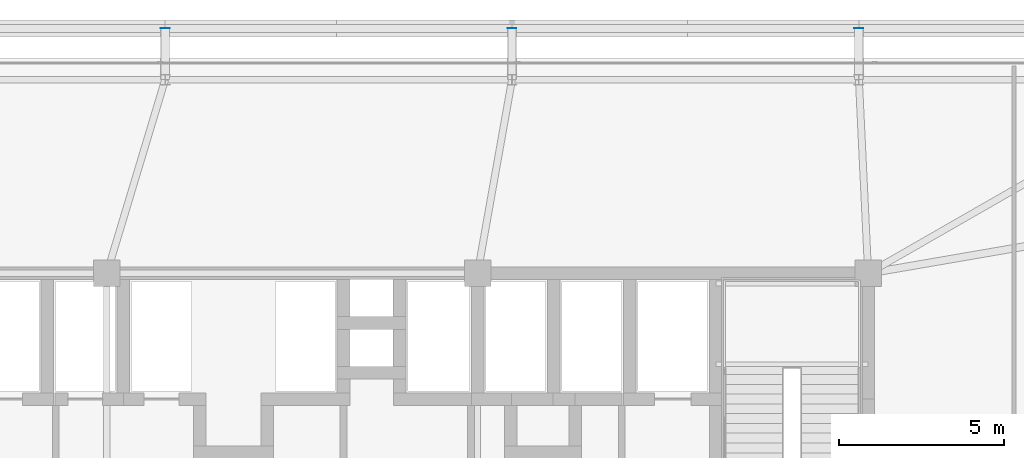
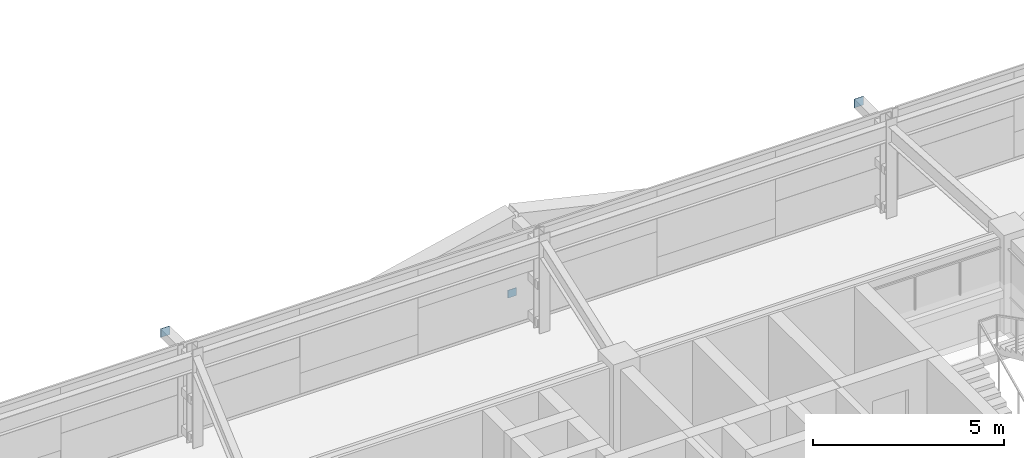
# One storey, part 37 of 44: 3 plates.
"""IFC4 building model written with IfcOpenShell, lengths in metres."""

from ifc_helpers import new_model, si_unit, direction, frame, origin, origin_2d, place, context, subcontext, project, spatial, rectangle, extrude, source, transform, mapped, material, layer, layer_set, type_object, element, save


model = new_model("IFC4")

# Units and contexts
model_context = context("Model", 3, precision=1e-05, world=origin(), true_north=direction((0.0, 1.0)))
body_context = subcontext(model_context, "Body", "Model", "MODEL_VIEW")
ifc_project = project(units=[si_unit("LENGTHUNIT", "METRE"), si_unit("AREAUNIT", "SQUARE_METRE"), si_unit("VOLUMEUNIT", "CUBIC_METRE"), si_unit("PLANEANGLEUNIT", "RADIAN"), si_unit("MASSUNIT", "GRAM", prefix="KILO")], contexts=[model_context])

# Site, building, storey
site_placement = place(None, origin())
site = spatial("IfcSite", under=ifc_project, at=site_placement, CompositionType="ELEMENT")
building_placement = place(site_placement, origin())
building = spatial("IfcBuilding", under=site, at=building_placement, Name="Taldren Reach Tower", CompositionType="ELEMENT")
storey_placement = place(building_placement, frame((0.0, 0.0, 42.0)))
storey = spatial("IfcBuildingStorey", under=building, at=storey_placement, Name="L12", CompositionType="ELEMENT", Elevation=42.0)

# Plates
ifc_material_1 = material(Name="Steel Gr 450 (C450L0)", Category="steel")
ifc_layer_1 = layer(ifc_material_1, 0.011962890625)
ifc_layer_set_1 = layer_set([ifc_layer_1], Name="Steel Gr 450 (C450L0)")
plate_type_1 = type_object("IfcPlateType", Name="PL-CAP-275", PredefinedType="SHEET", material=ifc_layer_set_1)
shared_shape_1 = source(origin(), body_context, "Body", "SweptSolid", [
    extrude(rectangle(XDim=0.27490234375, YDim=0.011962890625, at=origin_2d()), origin(), (0.0, 0.0, 1.0), 0.27490234375),
])
for number, where, z_axis, x_axis, name in (
    (1, (29.760009765625, 39.406005859375, 2.512451171875), (0.0, 0.0, 1.0), (1.0, 0.0, 0.0), "Tie strut end cap plate B1-N3 L12"),
    (2, (50.719970703125, 39.406005859375, 2.512451171875), (0.0, 0.0, 1.0), (1.0, 0.0, 0.0), "Tie strut end cap plate B1-N5 L12"),
):
    element("IfcPlate", number, at=place(storey_placement, frame(where, z_axis=z_axis, x_axis=x_axis)), inside=storey, type_object=plate_type_1, Name=name, PredefinedType="SHEET", context=body_context, shape_type="MappedRepresentation", body=[
        mapped(shared_shape_1, transform((0.0, 0.0, 0.0), scale=1.0)),
    ])
ifc_material_2 = material(Name="Steel Gr 350 (C350L0)", Category="steel")
ifc_layer_2 = layer(ifc_material_2, 0.011962890625)
ifc_layer_set_2 = layer_set([ifc_layer_2], Name="Steel Gr 350 (C350L0)")
plate_type_2 = type_object("IfcPlateType", Name="PL-CAP-250", PredefinedType="SHEET", material=ifc_layer_set_2)
shared_shape_2 = source(origin(), body_context, "Body", "SweptSolid", [
    extrude(rectangle(XDim=0.25, YDim=0.011962890625, at=origin_2d()), origin(), (0.0, 0.0, 1.0), 0.25),
])
plate_placement = place(storey_placement, frame((40.239990234375, 39.406005859375, 0.094970703125), z_axis=(0.0, 0.0, 1.0), x_axis=(1.0, 0.0, 0.0)))
element("IfcPlate", 3, at=plate_placement, inside=storey, type_object=plate_type_2, Name="Tie strut end cap plate B1-N4 L12", PredefinedType="SHEET", context=body_context, shape_type="MappedRepresentation", body=[
    mapped(shared_shape_2, transform((0.0, 0.0, 0.0), scale=1.0)),
])

save(model, "model.ifc")
